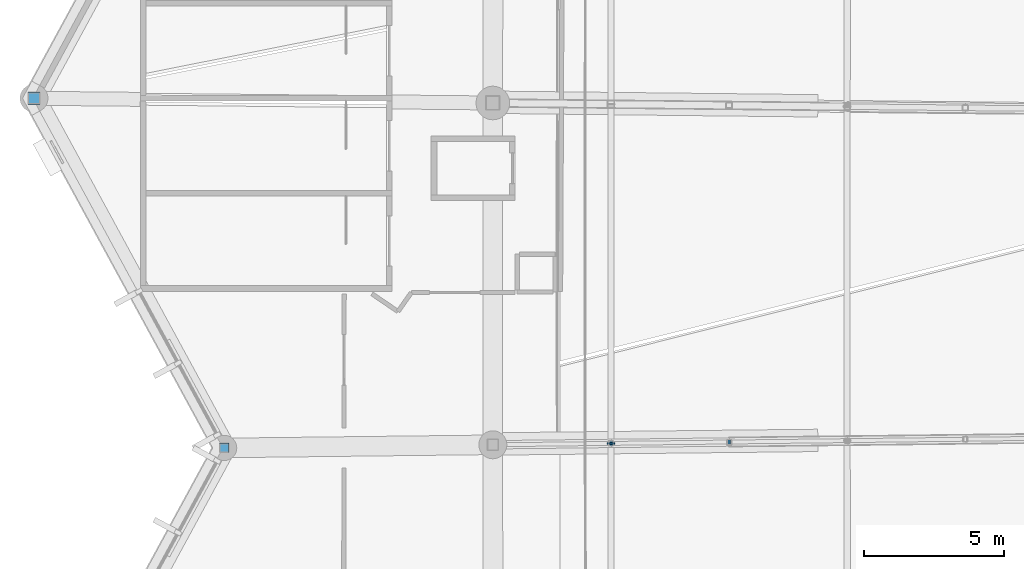
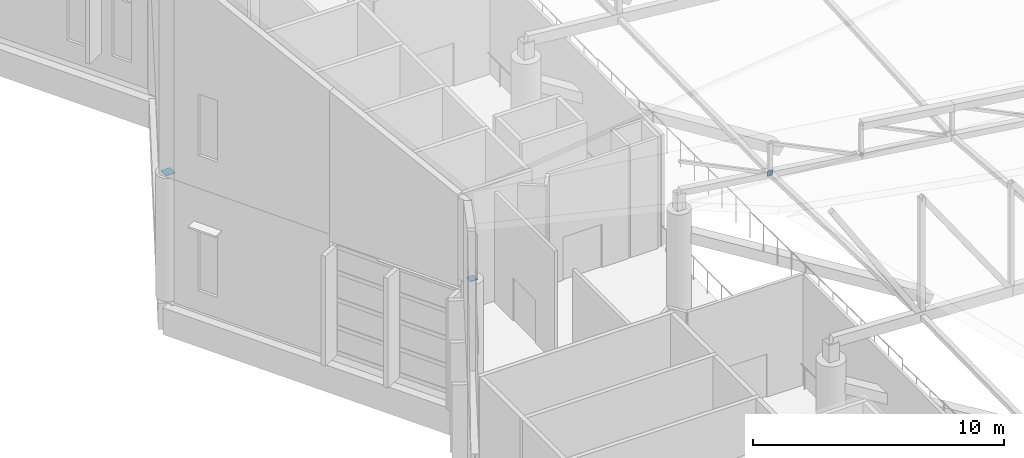
# One storey, part 292 of 344: 6 discrete accessories.
"""IFC4 building model written with IfcOpenShell, lengths in metres."""

from ifc_helpers import new_model, si_unit, direction, frame, origin, origin_2d, place, context, subcontext, project, spatial, rectangle, extrude, material, material_profile, profile_set, type_object, element, save


model = new_model("IFC4")

# Units and contexts
model_context = context("Model", 3, precision=1e-05, world=origin(), true_north=direction((0.0, 1.0)))
body_context = subcontext(model_context, "Body", "Model", "MODEL_VIEW")
ifc_project = project(units=[si_unit("LENGTHUNIT", "METRE"), si_unit("AREAUNIT", "SQUARE_METRE"), si_unit("VOLUMEUNIT", "CUBIC_METRE"), si_unit("PLANEANGLEUNIT", "RADIAN"), si_unit("MASSUNIT", "GRAM", prefix="KILO")], contexts=[model_context])

# Site, building, storey
site_placement = place(None, origin())
site = spatial("IfcSite", under=ifc_project, at=site_placement, CompositionType="ELEMENT")
building_placement = place(site_placement, origin())
building = spatial("IfcBuilding", under=site, at=building_placement, Name="Meseta Stadium", CompositionType="ELEMENT")
storey_placement = place(building_placement, frame((0.0, 0.0, 24.0)))
storey = spatial("IfcBuildingStorey", under=building, at=storey_placement, Name="L04", CompositionType="ELEMENT", Elevation=24.0)

# Discrete accessories
ifc_material_1 = material(Name="Steel S355", Category="steel")
ifc_material_profile_1 = material_profile(ifc_material_1, rectangle(XDim=0.179931640625, YDim=0.179931640625, at=origin_2d()), Name="PL 180x180")
ifc_profile_set_1 = profile_set([ifc_material_profile_1], Name="Steel S355")
discrete_accessory_type_1 = type_object("IfcDiscreteAccessoryType", Name="End plate 180x180x20", PredefinedType="ANCHORPLATE", material=ifc_profile_set_1)
discrete_accessory_1_placement = place(storey_placement, frame((-76.53515625, -6.037841796875, 5.5654296875), z_axis=(-0.899168702485, -0.012150928412, 0.437433422831), x_axis=(0.013512279797, -0.99990870498, 0.0)))
element("IfcDiscreteAccessory", 1, at=discrete_accessory_1_placement, inside=storey, type_object=discrete_accessory_type_1, Name="End plate of ROOF TRUSS RT-33 diagonal", PredefinedType="ANCHORPLATE", context=body_context, shape_type="SweptSolid", body=[
    extrude(rectangle(XDim=0.179931640625, YDim=0.179931640625, at=origin_2d()), origin(), (0.0, 0.0, 1.0), 0.02001953125),
])
discrete_accessory_2_placement = place(storey_placement, frame((-80.757080078125, -6.08740234375, 6.17822265625), z_axis=(-0.894361863812, -0.012085971133, 0.447180931906), x_axis=(0.013512279797, -0.99990870498, 0.0)))
element("IfcDiscreteAccessory", 2, at=discrete_accessory_2_placement, inside=storey, type_object=discrete_accessory_type_1, Name="End plate of ROOF TRUSS RT-33 diagonal", PredefinedType="ANCHORPLATE", context=body_context, shape_type="SweptSolid", body=[
    extrude(rectangle(XDim=0.179931640625, YDim=0.179931640625, at=origin_2d()), origin(), (0.0, 0.0, 1.0), 0.020263671875),
])
ifc_material_2 = material(Name="Steel S355", Category="steel")
ifc_material_profile_2 = material_profile(ifc_material_2, rectangle(XDim=0.260009765625, YDim=0.260009765625, at=origin_2d()), Name="PL 260x260")
ifc_profile_set_2 = profile_set([ifc_material_profile_2], Name="Steel S355")
discrete_accessory_type_2 = type_object("IfcDiscreteAccessoryType", Name="End plate 260x260x20", PredefinedType="ANCHORPLATE", material=ifc_profile_set_2)
for number, where, z_axis, x_axis, name in (
    (3, (-80.775146484375, -6.087646484375, 6.187255859375), (0.0, -0.999702690643, -0.024382992455), (1.0, 0.0, 0.0), "End plate of ROOF TRUSS STRUT RT-32/33"),
    (4, (-80.775146484375, -6.067626953125, 6.1865234375), (0.0, -0.999331426586, 0.036560905851), (1.0, 0.0, 0.0), "End plate of ROOF TRUSS STRUT RT-33/34"),
):
    element("IfcDiscreteAccessory", number, at=place(storey_placement, frame(where, z_axis=z_axis, x_axis=x_axis)), inside=storey, type_object=discrete_accessory_type_2, Name=name, PredefinedType="ANCHORPLATE", context=body_context, shape_type="SweptSolid", body=[
        extrude(rectangle(XDim=0.260009765625, YDim=0.260009765625, at=origin_2d()), origin(), (0.0, 0.0, 1.0), 0.02001953125),
    ])
ifc_material_3 = material(Name="Steel S355", Category="steel")
ifc_material_profile_3 = material_profile(ifc_material_3, rectangle(XDim=0.340087890625, YDim=0.340087890625, at=origin_2d()), Name="PL 340x340")
ifc_profile_set_3 = profile_set([ifc_material_profile_3], Name="Steel S355")
discrete_accessory_type_3 = type_object("IfcDiscreteAccessoryType", Name="End plate 340x340x20", PredefinedType="ANCHORPLATE", material=ifc_profile_set_3)
discrete_accessory_3_placement = place(storey_placement, frame((-94.60009765625, -6.25, 5.97998046875), z_axis=(0.0, 0.0, 1.0), x_axis=(1.0, 0.0, 0.0)))
element("IfcDiscreteAccessory", 5, at=discrete_accessory_3_placement, inside=storey, type_object=discrete_accessory_type_3, Name="End plate of ROOF RIM POST RT-33", PredefinedType="ANCHORPLATE", context=body_context, shape_type="SweptSolid", body=[
    extrude(rectangle(XDim=0.340087890625, YDim=0.340087890625, at=origin_2d()), origin(), (0.0, 0.0, 1.0), 0.02001953125),
])
ifc_material_4 = material(Name="Steel S355", Category="steel")
ifc_material_profile_4 = material_profile(ifc_material_4, rectangle(XDim=0.43994140625, YDim=0.43994140625, at=origin_2d()), Name="PL 440x440")
ifc_profile_set_4 = profile_set([ifc_material_profile_4], Name="Steel S355")
discrete_accessory_type_4 = type_object("IfcDiscreteAccessoryType", Name="End plate 440x440x20", PredefinedType="ANCHORPLATE", material=ifc_profile_set_4)
discrete_accessory_4_placement = place(storey_placement, frame((-101.39990234375, 6.25, 5.97998046875), z_axis=(0.0, 0.0, 1.0), x_axis=(1.0, 0.0, 0.0)))
element("IfcDiscreteAccessory", 6, at=discrete_accessory_4_placement, inside=storey, type_object=discrete_accessory_type_4, Name="End plate of ROOF RIM POST RT-32", PredefinedType="ANCHORPLATE", context=body_context, shape_type="SweptSolid", body=[
    extrude(rectangle(XDim=0.43994140625, YDim=0.43994140625, at=origin_2d()), origin(), (0.0, 0.0, 1.0), 0.02001953125),
])

save(model, "model.ifc")
